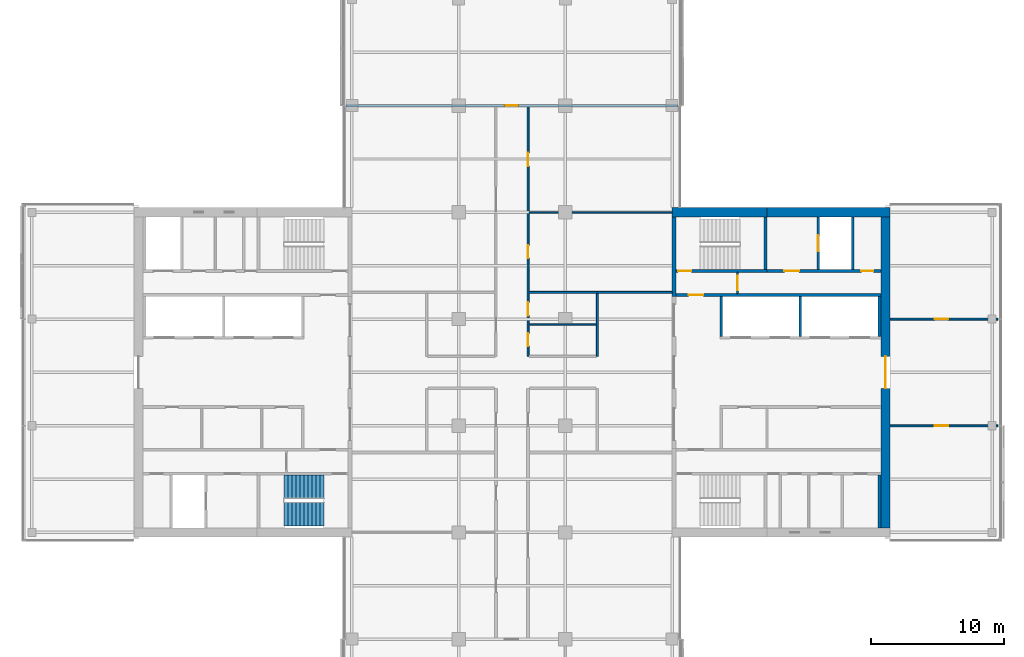
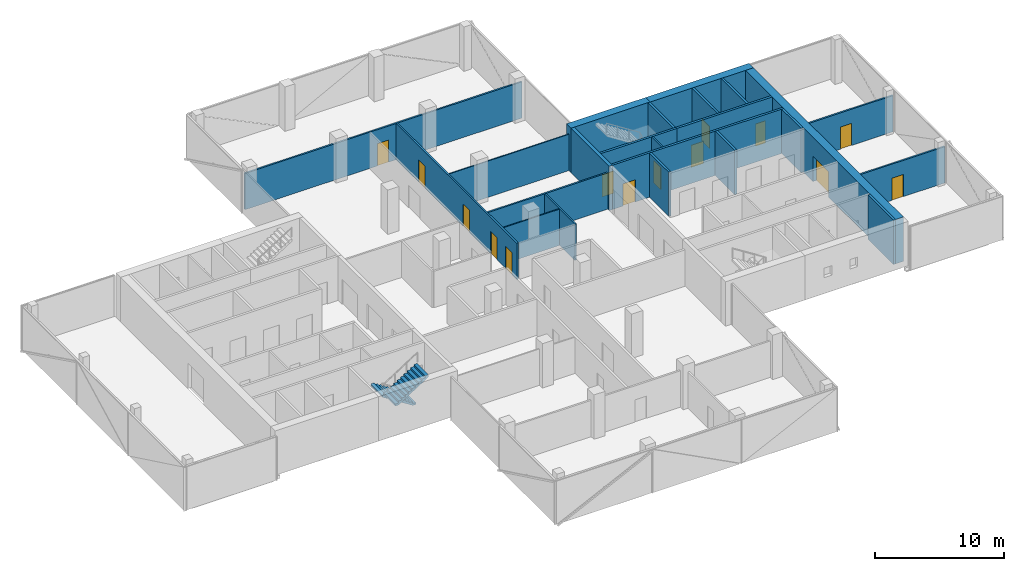
# One storey, part 16 of 22: 23 walls, 14 doors, 2 stair flights, 14 openings, 1 element without a shape of its own.
"""IFC4 building model written with IfcOpenShell, lengths in metres."""

from ifc_helpers import new_model, si_unit, direction, frame, frame_2d, origin, place, context, subcontext, project, spatial, polyline, rectangle, outline, extrude, material, layer, layer_set, constituent, constituent_set, type_object, element, fill, aggregate, save


model = new_model("IFC4")

# Units and contexts
model_context = context("Model", 3, precision=1e-05, world=origin(), true_north=direction((0.0, 1.0)))
body_context = subcontext(model_context, "Body", "Model", "MODEL_VIEW")
ifc_project = project(units=[si_unit("LENGTHUNIT", "METRE"), si_unit("AREAUNIT", "SQUARE_METRE"), si_unit("VOLUMEUNIT", "CUBIC_METRE"), si_unit("PLANEANGLEUNIT", "RADIAN"), si_unit("MASSUNIT", "GRAM", prefix="KILO")], contexts=[model_context])

# Site, building, storey
site_placement = place(None, origin())
site = spatial("IfcSite", under=ifc_project, at=site_placement, CompositionType="ELEMENT")
building_placement = place(site_placement, origin())
building = spatial("IfcBuilding", under=site, at=building_placement, Name="Crosswind Convention Tower", CompositionType="ELEMENT")
storey_placement = place(building_placement, frame((0.0, 0.0, 146.300048828125)))
storey = spatial("IfcBuildingStorey", under=building, at=storey_placement, Name="L30", CompositionType="ELEMENT", Elevation=146.300048828125)

# Wall, opening, door
ifc_material_1 = material(Name="Concrete C60/75", Category="concrete")
ifc_layer_1 = layer(ifc_material_1, 0.699951171875)
ifc_layer_set_1 = layer_set([ifc_layer_1], Name="Concrete C60/75")
wall_type_1 = type_object("IfcWallType", Name="Concrete core wall 700", PredefinedType="SHEAR", material=ifc_layer_set_1)
wall_1_placement = place(storey_placement, frame((153.0, 88.35009765625, 0.0), z_axis=(0.0, 0.0, 1.0), x_axis=(0.0, 1.0, 0.0)))
wall_1 = element("IfcWall", 1, at=wall_1_placement, inside=storey, type_object=wall_type_1, Name="Wall O E L30", PredefinedType="SHEAR", context=body_context, shape_type="SweptSolid", body=[
    extrude(rectangle(XDim=23.2998046875, YDim=0.699951171875, at=frame_2d((11.64990234375, 0.0))), origin(), (0.0, 0.0, 1.0), 4.199951171875),
])
opening_1_placement = place(wall_1_placement, frame((10.449951171875, 0.0, 0.0)))
opening_1 = element("IfcOpeningElement", 2, at=opening_1_placement, cuts=wall_1, Name="Opening D100", PredefinedType="OPENING", context=body_context, shape_type="SweptSolid", body=[
    extrude(rectangle(XDim=2.39990234375, YDim=2.39990234375, at=frame_2d((1.199951171875, 1.199951171875))), frame((0.0, 0.35986328125, 0.0), z_axis=(0.0, -1.0, 0.0), x_axis=(1.0, 0.0, 0.0)), (0.0, 0.0, 1.0), 0.719970703125),
])
ifc_material_2 = material(Name="Steel fire door with glazed vision panels", Category="steel")
door_type_1 = type_object("IfcDoorType", Name="Fire-rated double door 2400x2400", OperationType="DOUBLE_DOOR_SINGLE_SWING", PredefinedType="DOOR", material=ifc_material_2)
door_1_placement = place(opening_1_placement, origin())
door_1 = element("IfcDoor", 3, at=door_1_placement, inside=storey, type_object=door_type_1, Name="Lobby outer door L30", ObjectType="D100", OperationType="DOUBLE_DOOR_SINGLE_SWING", OverallHeight=2.39990234375, OverallWidth=2.39990234375, PredefinedType="DOOR", context=body_context, shape_type="SweptSolid", body=[
    extrude(rectangle(XDim=2.39990234375, YDim=2.39990234375, at=frame_2d((1.199951171875, 1.199951171875))), frame((0.0, 0.02490234375, 0.0), z_axis=(0.0, -1.0, 0.0), x_axis=(1.0, 0.0, 0.0)), (0.0, 0.0, 1.0), 0.050048828125),
])
fill(opening_1, door_1)

# Walls
ifc_material_3 = material(Name="Concrete C50/60", Category="concrete")
ifc_layer_2 = layer(ifc_material_3, 0.300048828125)
ifc_layer_set_2 = layer_set([ifc_layer_2], Name="Concrete C50/60")
wall_type_2 = type_object("IfcWallType", Name="Concrete inner core wall 300", PredefinedType="SHEAR", material=ifc_layer_set_2)
wall_2_placement = place(storey_placement, frame((137.14990234375, 105.699951171875, 0.0), z_axis=(0.0, 0.0, 1.0), x_axis=(0.0, 1.0, 0.0)))
element("IfcWall", 4, at=wall_2_placement, inside=storey, type_object=wall_type_2, Name="Wall EP E L30", PredefinedType="SHEAR", context=body_context, shape_type="SweptSolid", body=[
    extrude(rectangle(XDim=5.949951171875, YDim=0.300048828125, at=frame_2d((2.97509765625, 0.0))), origin(), (0.0, 0.0, 1.0), 4.199951171875),
])
ifc_layer_3 = layer(ifc_material_3, 0.199951171875)
ifc_layer_set_3 = layer_set([ifc_layer_3], Name="Concrete C50/60")
wall_type_3 = type_object("IfcWallType", Name="Concrete shaft and stair wall 200", PredefinedType="SHEAR", material=ifc_layer_set_3)
for number, where, z_axis, x_axis, name in (
    (5, (140.699951171875, 102.699951171875, 0.0), (0.0, 0.0, 1.0), (0.0, 1.0, 0.0), "Wall RPEND E L30"),
    (6, (146.60009765625, 102.699951171875, 0.0), (0.0, 0.0, 1.0), (0.0, 1.0, 0.0), "Wall RPSEP E L30"),
    (7, (152.550048828125, 102.699951171875, 0.0), (0.0, 0.0, 1.0), (0.0, 1.0, 0.0), "Wall RPEAST E L30"),
):
    element("IfcWall", number, at=place(storey_placement, frame(where, z_axis=z_axis, x_axis=x_axis)), inside=storey, type_object=wall_type_3, Name=name, PredefinedType="SHEAR", context=body_context, shape_type="SweptSolid", body=[
        extrude(rectangle(XDim=3.0, YDim=0.199951171875, at=frame_2d((1.5, 0.0))), origin(), (0.0, 0.0, 1.0), 4.199951171875),
    ])

# Wall, opening, door
wall_3_placement = place(storey_placement, frame((137.300048828125, 105.800048828125, 0.0), z_axis=(0.0, 0.0, 1.0), x_axis=(1.0, 0.0, 0.0)))
wall_3 = element("IfcWall", 8, at=wall_3_placement, inside=storey, type_object=wall_type_3, Name="Wall HP E L30", PredefinedType="SHEAR", context=body_context, shape_type="SweptSolid", body=[
    extrude(rectangle(XDim=15.349853515625, YDim=0.199951171875, at=frame_2d((7.6748046875, 0.0))), origin(), (0.0, 0.0, 1.0), 4.199951171875),
])
opening_2_placement = place(wall_3_placement, frame((0.949951171875, 0.0, 0.0)))
opening_2 = element("IfcOpeningElement", 9, at=opening_2_placement, cuts=wall_3, Name="Opening D104", PredefinedType="OPENING", context=body_context, shape_type="SweptSolid", body=[
    extrude(rectangle(XDim=1.10009765625, YDim=2.10009765625, at=frame_2d((0.550048828125, 1.050048828125))), frame((0.0, 0.10986328125, 0.0), z_axis=(0.0, -1.0, 0.0), x_axis=(1.0, 0.0, 0.0)), (0.0, 0.0, 1.0), 0.219970703125),
])
ifc_material_4 = material(Name="Steel fire door", Category="steel")
door_type_2 = type_object("IfcDoorType", Name="Fire-rated single door 1100x2100", OperationType="NOTDEFINED", PredefinedType="DOOR", material=ifc_material_4)
door_2_placement = place(opening_2_placement, origin())
door_2 = element("IfcDoor", 10, at=door_2_placement, inside=storey, type_object=door_type_2, Name="Corridor door L30", ObjectType="D104", OperationType="SINGLE_SWING_LEFT", OverallHeight=2.10009765625, OverallWidth=1.10009765625, PredefinedType="DOOR", context=body_context, shape_type="SweptSolid", body=[
    extrude(rectangle(XDim=1.10009765625, YDim=2.10009765625, at=frame_2d((0.550048828125, 1.050048828125))), frame((0.0, 0.02490234375, 0.0), z_axis=(0.0, -1.0, 0.0), x_axis=(1.0, 0.0, 0.0)), (0.0, 0.0, 1.0), 0.050048828125),
])
fill(opening_2, door_2)

# Wall
wall_4_placement = place(storey_placement, frame((144.0, 107.699951171875, 0.0), z_axis=(0.0, 0.0, 1.0), x_axis=(0.0, 1.0, 0.0)))
element("IfcWall", 11, at=wall_4_placement, inside=storey, type_object=wall_type_3, Name="Wall PSE E L30", PredefinedType="SHEAR", context=body_context, shape_type="SweptSolid", body=[
    extrude(rectangle(XDim=3.949951171875, YDim=0.199951171875, at=frame_2d((1.97509765625, 0.0))), origin(), (0.0, 0.0, 1.0), 4.199951171875),
])

# Wall, opening, door
wall_5_placement = place(storey_placement, frame((147.949951171875, 107.699951171875, 0.0), z_axis=(0.0, 0.0, 1.0), x_axis=(0.0, 1.0, 0.0)))
wall_5 = element("IfcWall", 12, at=wall_5_placement, inside=storey, type_object=wall_type_3, Name="Wall PFLW E L30", PredefinedType="SHEAR", context=body_context, shape_type="SweptSolid", body=[
    extrude(rectangle(XDim=3.949951171875, YDim=0.199951171875, at=frame_2d((1.97509765625, 0.0))), origin(), (0.0, 0.0, 1.0), 4.199951171875),
])
opening_3_placement = place(wall_5_placement, frame((1.375, 0.0, 0.0)))
opening_3 = element("IfcOpeningElement", 13, at=opening_3_placement, cuts=wall_5, Name="Opening LD1", PredefinedType="OPENING", context=body_context, shape_type="SweptSolid", body=[
    extrude(rectangle(XDim=1.199951171875, YDim=2.10009765625, at=frame_2d((0.60009765625, 1.050048828125))), frame((0.0, 0.10986328125, 0.0), z_axis=(0.0, -1.0, 0.0), x_axis=(1.0, 0.0, 0.0)), (0.0, 0.0, 1.0), 0.219970703125),
])
ifc_material_5 = material(Name="Stainless steel", Category="steel")
door_type_3 = type_object("IfcDoorType", Name="Lift landing door 1200x2100", OperationType="DOUBLE_DOOR_SLIDING", PredefinedType="DOOR", material=ifc_material_5)
door_3_placement = place(opening_3_placement, origin())
door_3 = element("IfcDoor", 14, at=door_3_placement, inside=storey, type_object=door_type_3, Name="Landing door FF1 L30", ObjectType="LD1", OperationType="DOUBLE_DOOR_SLIDING", OverallHeight=2.10009765625, OverallWidth=1.199951171875, PredefinedType="DOOR", context=body_context, shape_type="SweptSolid", body=[
    extrude(rectangle(XDim=1.199951171875, YDim=2.10009765625, at=frame_2d((0.60009765625, 1.050048828125))), frame((0.0, 0.02490234375, 0.0), z_axis=(0.0, -1.0, 0.0), x_axis=(1.0, 0.0, 0.0)), (0.0, 0.0, 1.0), 0.050048828125),
])
fill(opening_3, door_3)

# Wall
wall_6_placement = place(storey_placement, frame((150.550048828125, 107.699951171875, 0.0), z_axis=(0.0, 0.0, 1.0), x_axis=(0.0, 1.0, 0.0)))
element("IfcWall", 15, at=wall_6_placement, inside=storey, type_object=wall_type_3, Name="Wall PFSE E L30", PredefinedType="SHEAR", context=body_context, shape_type="SweptSolid", body=[
    extrude(rectangle(XDim=3.949951171875, YDim=0.199951171875, at=frame_2d((1.97509765625, 0.0))), origin(), (0.0, 0.0, 1.0), 4.199951171875),
])

# Wall, opening, door
wall_7_placement = place(storey_placement, frame((137.300048828125, 107.60009765625, 0.0), z_axis=(0.0, 0.0, 1.0), x_axis=(1.0, 0.0, 0.0)))
wall_7 = element("IfcWall", 16, at=wall_7_placement, inside=storey, type_object=wall_type_3, Name="Wall PCW E L30", PredefinedType="SHEAR", context=body_context, shape_type="SweptSolid", body=[
    extrude(rectangle(XDim=6.800048828125, YDim=0.199951171875, at=frame_2d((3.39990234375, 0.0))), origin(), (0.0, 0.0, 1.0), 4.199951171875),
])
opening_4_placement = place(wall_7_placement, frame((0.14990234375, 0.0, 0.0)))
opening_4 = element("IfcOpeningElement", 17, at=opening_4_placement, cuts=wall_7, Name="Opening D103", PredefinedType="OPENING", context=body_context, shape_type="SweptSolid", body=[
    extrude(rectangle(XDim=1.0, YDim=2.10009765625, at=frame_2d((0.5, 1.050048828125))), frame((0.0, 0.10986328125, 0.0), z_axis=(0.0, -1.0, 0.0), x_axis=(1.0, 0.0, 0.0)), (0.0, 0.0, 1.0), 0.219970703125),
])
door_type_4 = type_object("IfcDoorType", Name="Fire-rated single door 1000x2100", OperationType="NOTDEFINED", PredefinedType="DOOR", material=ifc_material_4)
door_4_placement = place(opening_4_placement, origin())
door_4 = element("IfcDoor", 18, at=door_4_placement, inside=storey, type_object=door_type_4, Name="Stair ST1 door L30", ObjectType="D103", OperationType="SINGLE_SWING_LEFT", OverallHeight=2.10009765625, OverallWidth=1.0, PredefinedType="DOOR", context=body_context, shape_type="SweptSolid", body=[
    extrude(rectangle(XDim=1.0, YDim=2.10009765625, at=frame_2d((0.5, 1.050048828125))), frame((0.0, 0.02490234375, 0.0), z_axis=(0.0, -1.0, 0.0), x_axis=(1.0, 0.0, 0.0)), (0.0, 0.0, 1.0), 0.050048828125),
])
fill(opening_4, door_4)

# Wall, openings, doors
wall_8_placement = place(storey_placement, frame((144.10009765625, 107.60009765625, 0.0), z_axis=(0.0, 0.0, 1.0), x_axis=(1.0, 0.0, 0.0)))
wall_8 = element("IfcWall", 19, at=wall_8_placement, inside=storey, type_object=wall_type_3, Name="Wall PCX E L30", PredefinedType="SHEAR", context=body_context, shape_type="SweptSolid", body=[
    extrude(rectangle(XDim=8.5498046875, YDim=0.199951171875, at=frame_2d((4.27490234375, 0.0))), origin(), (0.0, 0.0, 1.0), 4.199951171875),
])
opening_5_placement = place(wall_8_placement, frame((1.324951171875, 0.0, 0.0)))
opening_5 = element("IfcOpeningElement", 20, at=opening_5_placement, cuts=wall_8, Name="Opening D104", PredefinedType="OPENING", context=body_context, shape_type="SweptSolid", body=[
    extrude(rectangle(XDim=1.10009765625, YDim=2.10009765625, at=frame_2d((0.550048828125, 1.050048828125))), frame((0.0, 0.10986328125, 0.0), z_axis=(0.0, -1.0, 0.0), x_axis=(1.0, 0.0, 0.0)), (0.0, 0.0, 1.0), 0.219970703125),
])
opening_6_placement = place(wall_8_placement, frame((7.10009765625, 0.0, 0.0)))
opening_6 = element("IfcOpeningElement", 21, at=opening_6_placement, cuts=wall_8, Name="Opening D106", PredefinedType="OPENING", context=body_context, shape_type="SweptSolid", body=[
    extrude(rectangle(XDim=0.89990234375, YDim=2.10009765625, at=frame_2d((0.449951171875, 1.050048828125))), frame((0.0, 0.10986328125, 0.0), z_axis=(0.0, -1.0, 0.0), x_axis=(1.0, 0.0, 0.0)), (0.0, 0.0, 1.0), 0.219970703125),
])
door_5_placement = place(opening_5_placement, origin())
door_5 = element("IfcDoor", 22, at=door_5_placement, inside=storey, type_object=door_type_2, Name="Fire-fighting lobby FF1 door L30", ObjectType="D104", OperationType="SINGLE_SWING_RIGHT", OverallHeight=2.10009765625, OverallWidth=1.10009765625, PredefinedType="DOOR", context=body_context, shape_type="SweptSolid", body=[
    extrude(rectangle(XDim=1.10009765625, YDim=2.10009765625, at=frame_2d((0.550048828125, 1.050048828125))), frame((0.0, 0.02490234375, 0.0), z_axis=(0.0, -1.0, 0.0), x_axis=(1.0, 0.0, 0.0)), (0.0, 0.0, 1.0), 0.050048828125),
])
fill(opening_5, door_5)
ifc_material_6 = material(Name="Timber door", Category="wood")
door_type_5 = type_object("IfcDoorType", Name="Single leaf door 900x2100", OperationType="NOTDEFINED", PredefinedType="DOOR", material=ifc_material_6)
door_6_placement = place(opening_6_placement, origin())
door_6 = element("IfcDoor", 23, at=door_6_placement, inside=storey, type_object=door_type_5, Name="Door to cleaners' store L30", ObjectType="D106", OperationType="SINGLE_SWING_RIGHT", OverallHeight=2.10009765625, OverallWidth=0.89990234375, PredefinedType="DOOR", context=body_context, shape_type="SweptSolid", body=[
    extrude(rectangle(XDim=0.89990234375, YDim=2.10009765625, at=frame_2d((0.449951171875, 1.050048828125))), frame((0.0, 0.02490234375, 0.0), z_axis=(0.0, -1.0, 0.0), x_axis=(1.0, 0.0, 0.0)), (0.0, 0.0, 1.0), 0.050048828125),
])
fill(opening_6, door_6)

# Wall
wall_9_placement = place(storey_placement, frame((152.550048828125, 88.35009765625, 0.0), z_axis=(0.0, 0.0, 1.0), x_axis=(0.0, 1.0, 0.0)))
element("IfcWall", 24, at=wall_9_placement, inside=storey, type_object=wall_type_3, Name="Wall MFSE E L30", PredefinedType="SHEAR", context=body_context, shape_type="SweptSolid", body=[
    extrude(rectangle(XDim=3.949951171875, YDim=0.199951171875, at=frame_2d((1.97509765625, 0.0))), origin(), (0.0, 0.0, 1.0), 4.199951171875),
])

# Wall, opening, door
ifc_material_7 = material(Name="Gypsum plasterboard partition", Category="gypsum")
ifc_layer_4 = layer(ifc_material_7, 0.125)
ifc_layer_set_4 = layer_set([ifc_layer_4], Name="Drywall partition wall 125")
wall_type_4 = type_object("IfcWallType", Name="Drywall partition wall 125", PredefinedType="PARTITIONING", material=ifc_layer_set_4)
wall_10_placement = place(storey_placement, frame((141.89990234375, 105.89990234375, 0.0), z_axis=(0.0, 0.0, 1.0), x_axis=(0.0, 1.0, 0.0)))
wall_10 = element("IfcWall", 25, at=wall_10_placement, inside=storey, type_object=wall_type_4, Name="Wall PXC1 E L30", PredefinedType="PARTITIONING", context=body_context, shape_type="SweptSolid", body=[
    extrude(rectangle(XDim=1.60009765625, YDim=0.125, at=frame_2d((0.800048828125, 0.0))), origin(), (0.0, 0.0, 1.0), 4.199951171875),
])
opening_7_placement = place(wall_10_placement, frame((0.25, 0.0, 0.0)))
opening_7 = element("IfcOpeningElement", 26, at=opening_7_placement, cuts=wall_10, Name="Opening D104", PredefinedType="OPENING", context=body_context, shape_type="SweptSolid", body=[
    extrude(rectangle(XDim=1.10009765625, YDim=2.10009765625, at=frame_2d((0.550048828125, 1.050048828125))), frame((0.0, 0.072509765625, 0.0), z_axis=(0.0, -1.0, 0.0), x_axis=(1.0, 0.0, 0.0)), (0.0, 0.0, 1.0), 0.14501953125),
])
door_7_placement = place(opening_7_placement, origin())
door_7 = element("IfcDoor", 27, at=door_7_placement, inside=storey, type_object=door_type_2, Name="Corridor smoke door L30", ObjectType="D104", OperationType="SINGLE_SWING_RIGHT", OverallHeight=2.10009765625, OverallWidth=1.10009765625, PredefinedType="DOOR", context=body_context, shape_type="SweptSolid", body=[
    extrude(rectangle(XDim=1.10009765625, YDim=2.10009765625, at=frame_2d((0.550048828125, 1.050048828125))), frame((0.0, 0.02490234375, 0.0), z_axis=(0.0, -1.0, 0.0), x_axis=(1.0, 0.0, 0.0)), (0.0, 0.0, 1.0), 0.050048828125),
])
fill(opening_7, door_7)

# Walls
ifc_material_8 = material(Name="Plasterboard partition", Category="gypsum")
ifc_layer_5 = layer(ifc_material_8, 0.10009765625)
ifc_layer_set_5 = layer_set([ifc_layer_5], Name="PARTITION 100 METAL STUD")
wall_type_5 = type_object("IfcWallType", Name="PARTITION 100 METAL STUD", PredefinedType="PARTITIONING", material=ifc_layer_set_5)
wall_11_placement = place(storey_placement, frame((126.27490234375, 103.60009765625, 0.0), z_axis=(0.0, 0.0, 1.0), x_axis=(1.0, 0.0, 0.0)))
element("IfcWall", 28, at=wall_11_placement, inside=storey, type_object=wall_type_5, Name="Partition wall WT40", PredefinedType="PARTITIONING", context=body_context, shape_type="SweptSolid", body=[
    extrude(rectangle(XDim=5.050048828125, YDim=0.10009765625, at=frame_2d((2.52490234375, 0.0))), origin(), (0.0, 0.0, 1.0), 3.436279296875),
])
wall_12_placement = place(storey_placement, frame((126.27490234375, 112.0, 0.0), z_axis=(0.0, 0.0, 1.0), x_axis=(1.0, 0.0, 0.0)))
element("IfcWall", 29, at=wall_12_placement, inside=storey, type_object=wall_type_5, Name="Partition wall WT40", PredefinedType="PARTITIONING", context=body_context, shape_type="SweptSolid", body=[
    extrude(rectangle(XDim=10.72509765625, YDim=0.10009765625, at=frame_2d((5.362548828125, 0.0))), origin(), (0.0, 0.0, 1.0), 3.436279296875),
])

# Wall, openings, doors
ifc_material_9 = material(Name="Fire-board partition with mineral wool", Category="gypsum")
ifc_layer_6 = layer(ifc_material_9, 0.14990234375)
ifc_layer_set_6 = layer_set([ifc_layer_6], Name="TENANCY WALL 150 TWO-HOUR BOARD")
wall_type_6 = type_object("IfcWallType", Name="TENANCY WALL 150 TWO-HOUR BOARD", PredefinedType="PARTITIONING", material=ifc_layer_set_6)
wall_13_placement = place(storey_placement, frame((126.199951171875, 101.199951171875, 0.0), z_axis=(0.0, 0.0, 1.0), x_axis=(0.0, 1.0, 0.0)))
wall_13 = element("IfcWall", 30, at=wall_13_placement, inside=storey, type_object=wall_type_6, Name="Tenancy wall WT41", PredefinedType="PARTITIONING", context=body_context, shape_type="SweptSolid", body=[
    extrude(rectangle(XDim=18.72509765625, YDim=0.14990234375, at=frame_2d((9.362548828125, 0.0))), origin(), (0.0, 0.0, 1.0), 3.436279296875),
])
opening_8_placement = place(wall_13_placement, frame((0.75, 0.0, 0.0)))
opening_8 = element("IfcOpeningElement", 31, at=opening_8_placement, cuts=wall_13, Name="Opening L30-50", PredefinedType="OPENING", context=body_context, shape_type="SweptSolid", body=[
    extrude(rectangle(XDim=1.0, YDim=2.10009765625, at=frame_2d((0.5, 1.050048828125))), frame((0.0, 0.0849609375, 0.0), z_axis=(0.0, -1.0, 0.0), x_axis=(1.0, 0.0, 0.0)), (0.0, 0.0, 1.0), 0.169921875),
])
opening_9_placement = place(wall_13_placement, frame((3.050048828125, 0.0, 0.0)))
opening_9 = element("IfcOpeningElement", 32, at=opening_9_placement, cuts=wall_13, Name="Opening L30-51", PredefinedType="OPENING", context=body_context, shape_type="SweptSolid", body=[
    extrude(rectangle(XDim=1.0, YDim=2.10009765625, at=frame_2d((0.5, 1.050048828125))), frame((0.0, 0.0849609375, 0.0), z_axis=(0.0, -1.0, 0.0), x_axis=(1.0, 0.0, 0.0)), (0.0, 0.0, 1.0), 0.169921875),
])
opening_10_placement = place(wall_13_placement, frame((7.35009765625, 0.0, 0.0)))
opening_10 = element("IfcOpeningElement", 33, at=opening_10_placement, cuts=wall_13, Name="Opening L30-52", PredefinedType="OPENING", context=body_context, shape_type="SweptSolid", body=[
    extrude(rectangle(XDim=1.0, YDim=2.10009765625, at=frame_2d((0.5, 1.050048828125))), frame((0.0, 0.0849609375, 0.0), z_axis=(0.0, -1.0, 0.0), x_axis=(1.0, 0.0, 0.0)), (0.0, 0.0, 1.0), 0.169921875),
])
opening_11_placement = place(wall_13_placement, frame((14.25, 0.0, 0.0)))
opening_11 = element("IfcOpeningElement", 34, at=opening_11_placement, cuts=wall_13, Name="Opening L30-53", PredefinedType="OPENING", context=body_context, shape_type="SweptSolid", body=[
    extrude(rectangle(XDim=1.0, YDim=2.10009765625, at=frame_2d((0.5, 1.050048828125))), frame((0.0, 0.0849609375, 0.0), z_axis=(0.0, -1.0, 0.0), x_axis=(1.0, 0.0, 0.0)), (0.0, 0.0, 1.0), 0.169921875),
])
ifc_material_10 = material(Name="Timber fire door", Category="wood")
door_type_6 = type_object("IfcDoorType", Name="TENANCY ENTRANCE DOOR 1000X2100 FD30S", OperationType="NOTDEFINED", PredefinedType="DOOR", material=ifc_material_10)
door_8_placement = place(opening_8_placement, frame((1.0, 0.0, 0.0), z_axis=(0.0, 0.0, 1.0), x_axis=(-1.0, 0.0, 0.0)))
door_8 = element("IfcDoor", 35, at=door_8_placement, inside=storey, type_object=door_type_6, Name="Door L30-50", ObjectType="D41", OperationType="SINGLE_SWING_LEFT", OverallHeight=2.10009765625, OverallWidth=1.0, PredefinedType="DOOR", context=body_context, shape_type="SweptSolid", body=[
    extrude(rectangle(XDim=1.0, YDim=2.10009765625, at=frame_2d((0.5, 1.050048828125))), frame((0.0, 0.02490234375, 0.0), z_axis=(0.0, -1.0, 0.0), x_axis=(1.0, 0.0, 0.0)), (0.0, 0.0, 1.0), 0.050048828125),
])
fill(opening_8, door_8)
door_9_placement = place(opening_9_placement, frame((1.0, 0.0, 0.0), z_axis=(0.0, 0.0, 1.0), x_axis=(-1.0, 0.0, 0.0)))
door_9 = element("IfcDoor", 36, at=door_9_placement, inside=storey, type_object=door_type_6, Name="Door L30-51", ObjectType="D41", OperationType="SINGLE_SWING_RIGHT", OverallHeight=2.10009765625, OverallWidth=1.0, PredefinedType="DOOR", context=body_context, shape_type="SweptSolid", body=[
    extrude(rectangle(XDim=1.0, YDim=2.10009765625, at=frame_2d((0.5, 1.050048828125))), frame((0.0, 0.02490234375, 0.0), z_axis=(0.0, -1.0, 0.0), x_axis=(1.0, 0.0, 0.0)), (0.0, 0.0, 1.0), 0.050048828125),
])
fill(opening_9, door_9)
door_10_placement = place(opening_10_placement, frame((1.0, 0.0, 0.0), z_axis=(0.0, 0.0, 1.0), x_axis=(-1.0, 0.0, 0.0)))
door_10 = element("IfcDoor", 37, at=door_10_placement, inside=storey, type_object=door_type_6, Name="Door L30-52", ObjectType="D41", OperationType="SINGLE_SWING_LEFT", OverallHeight=2.10009765625, OverallWidth=1.0, PredefinedType="DOOR", context=body_context, shape_type="SweptSolid", body=[
    extrude(rectangle(XDim=1.0, YDim=2.10009765625, at=frame_2d((0.5, 1.050048828125))), frame((0.0, 0.02490234375, 0.0), z_axis=(0.0, -1.0, 0.0), x_axis=(1.0, 0.0, 0.0)), (0.0, 0.0, 1.0), 0.050048828125),
])
fill(opening_10, door_10)
door_11_placement = place(opening_11_placement, frame((1.0, 0.0, 0.0), z_axis=(0.0, 0.0, 1.0), x_axis=(-1.0, 0.0, 0.0)))
door_11 = element("IfcDoor", 38, at=door_11_placement, inside=storey, type_object=door_type_6, Name="Door L30-53", ObjectType="D41", OperationType="SINGLE_SWING_RIGHT", OverallHeight=2.10009765625, OverallWidth=1.0, PredefinedType="DOOR", context=body_context, shape_type="SweptSolid", body=[
    extrude(rectangle(XDim=1.0, YDim=2.10009765625, at=frame_2d((0.5, 1.050048828125))), frame((0.0, 0.02490234375, 0.0), z_axis=(0.0, -1.0, 0.0), x_axis=(1.0, 0.0, 0.0)), (0.0, 0.0, 1.0), 0.050048828125),
])
fill(opening_11, door_11)

# Wall
wall_14_placement = place(storey_placement, frame((131.39990234375, 101.199951171875, 0.0), z_axis=(0.0, 0.0, 1.0), x_axis=(0.0, 1.0, 0.0)))
element("IfcWall", 39, at=wall_14_placement, inside=storey, type_object=wall_type_6, Name="Tenancy wall WT41", PredefinedType="PARTITIONING", context=body_context, shape_type="SweptSolid", body=[
    extrude(rectangle(XDim=4.72509765625, YDim=0.14990234375, at=frame_2d((2.362548828125, 0.0))), origin(), (0.0, 0.0, 1.0), 3.436279296875),
])

# Wall, opening, door
wall_15_placement = place(storey_placement, frame((153.35009765625, 96.0, 0.0), z_axis=(0.0, 0.0, 1.0), x_axis=(1.0, 0.0, 0.0)))
wall_15 = element("IfcWall", 40, at=wall_15_placement, inside=storey, type_object=wall_type_6, Name="Tenancy wall WT41", PredefinedType="PARTITIONING", context=body_context, shape_type="SweptSolid", body=[
    extrude(rectangle(XDim=8.06982421875, YDim=0.14990234375, at=frame_2d((4.034912109375, 0.0))), origin(), (0.0, 0.0, 1.0), 3.436279296875),
])
opening_12_placement = place(wall_15_placement, frame((3.35009765625, 0.0, 0.0)))
opening_12 = element("IfcOpeningElement", 41, at=opening_12_placement, cuts=wall_15, Name="Opening L30-65", PredefinedType="OPENING", context=body_context, shape_type="SweptSolid", body=[
    extrude(rectangle(XDim=1.0, YDim=2.10009765625, at=frame_2d((0.5, 1.050048828125))), frame((0.0, 0.0849609375, 0.0), z_axis=(0.0, -1.0, 0.0), x_axis=(1.0, 0.0, 0.0)), (0.0, 0.0, 1.0), 0.169921875),
])
door_12_placement = place(opening_12_placement, frame((1.0, 0.0, 0.0), z_axis=(0.0, 0.0, 1.0), x_axis=(-1.0, 0.0, 0.0)))
door_12 = element("IfcDoor", 42, at=door_12_placement, inside=storey, type_object=door_type_6, Name="Door L30-65", ObjectType="D41", OperationType="SINGLE_SWING_LEFT", OverallHeight=2.10009765625, OverallWidth=1.0, PredefinedType="DOOR", context=body_context, shape_type="SweptSolid", body=[
    extrude(rectangle(XDim=1.0, YDim=2.10009765625, at=frame_2d((0.5, 1.050048828125))), frame((0.0, 0.02490234375, 0.0), z_axis=(0.0, -1.0, 0.0), x_axis=(1.0, 0.0, 0.0)), (0.0, 0.0, 1.0), 0.050048828125),
])
fill(opening_12, door_12)

wall_16_placement = place(storey_placement, frame((153.35009765625, 104.0, 0.0), z_axis=(0.0, 0.0, 1.0), x_axis=(1.0, 0.0, 0.0)))
wall_16 = element("IfcWall", 43, at=wall_16_placement, inside=storey, type_object=wall_type_6, Name="Tenancy wall WT41", PredefinedType="PARTITIONING", context=body_context, shape_type="SweptSolid", body=[
    extrude(rectangle(XDim=8.06982421875, YDim=0.14990234375, at=frame_2d((4.034912109375, 0.0))), origin(), (0.0, 0.0, 1.0), 3.436279296875),
])
opening_13_placement = place(wall_16_placement, frame((3.35009765625, 0.0, 0.0)))
opening_13 = element("IfcOpeningElement", 44, at=opening_13_placement, cuts=wall_16, Name="Opening L30-64", PredefinedType="OPENING", context=body_context, shape_type="SweptSolid", body=[
    extrude(rectangle(XDim=1.0, YDim=2.10009765625, at=frame_2d((0.5, 1.050048828125))), frame((0.0, 0.0849609375, 0.0), z_axis=(0.0, -1.0, 0.0), x_axis=(1.0, 0.0, 0.0)), (0.0, 0.0, 1.0), 0.169921875),
])
door_13_placement = place(opening_13_placement, origin())
door_13 = element("IfcDoor", 45, at=door_13_placement, inside=storey, type_object=door_type_6, Name="Door L30-64", ObjectType="D41", OperationType="SINGLE_SWING_RIGHT", OverallHeight=2.10009765625, OverallWidth=1.0, PredefinedType="DOOR", context=body_context, shape_type="SweptSolid", body=[
    extrude(rectangle(XDim=1.0, YDim=2.10009765625, at=frame_2d((0.5, 1.050048828125))), frame((0.0, 0.02490234375, 0.0), z_axis=(0.0, -1.0, 0.0), x_axis=(1.0, 0.0, 0.0)), (0.0, 0.0, 1.0), 0.050048828125),
])
fill(opening_13, door_13)

# Wall
wall_17_placement = place(storey_placement, frame((126.27490234375, 106.0, 0.0), z_axis=(0.0, 0.0, 1.0), x_axis=(1.0, 0.0, 0.0)))
element("IfcWall", 46, at=wall_17_placement, inside=storey, type_object=wall_type_6, Name="Tenancy wall WT41", PredefinedType="PARTITIONING", context=body_context, shape_type="SweptSolid", body=[
    extrude(rectangle(XDim=10.72509765625, YDim=0.14990234375, at=frame_2d((5.362548828125, 0.0))), origin(), (0.0, 0.0, 1.0), 3.436279296875),
])

# Wall, opening, door
wall_18_placement = place(storey_placement, frame((112.580078125, 120.0, 0.0), z_axis=(0.0, 0.0, 1.0), x_axis=(1.0, 0.0, 0.0)))
wall_18 = element("IfcWall", 47, at=wall_18_placement, inside=storey, type_object=wall_type_6, Name="Tenancy wall WT41", PredefinedType="PARTITIONING", context=body_context, shape_type="SweptSolid", body=[
    extrude(rectangle(XDim=24.83984375, YDim=0.14990234375, at=frame_2d((12.419921875, 0.0))), origin(), (0.0, 0.0, 1.0), 3.436279296875),
])
opening_14_placement = place(wall_18_placement, frame((11.8701171875, 0.0, 0.0)))
opening_14 = element("IfcOpeningElement", 48, at=opening_14_placement, cuts=wall_18, Name="Opening L30-61", PredefinedType="OPENING", context=body_context, shape_type="SweptSolid", body=[
    extrude(rectangle(XDim=1.0, YDim=2.10009765625, at=frame_2d((0.5, 1.050048828125))), frame((0.0, 0.0849609375, 0.0), z_axis=(0.0, -1.0, 0.0), x_axis=(1.0, 0.0, 0.0)), (0.0, 0.0, 1.0), 0.169921875),
])
door_14_placement = place(opening_14_placement, origin())
door_14 = element("IfcDoor", 49, at=door_14_placement, inside=storey, type_object=door_type_6, Name="Door L30-61", ObjectType="D41", OperationType="SINGLE_SWING_LEFT", OverallHeight=2.10009765625, OverallWidth=1.0, PredefinedType="DOOR", context=body_context, shape_type="SweptSolid", body=[
    extrude(rectangle(XDim=1.0, YDim=2.10009765625, at=frame_2d((0.5, 1.050048828125))), frame((0.0, 0.02490234375, 0.0), z_axis=(0.0, -1.0, 0.0), x_axis=(1.0, 0.0, 0.0)), (0.0, 0.0, 1.0), 0.050048828125),
])
fill(opening_14, door_14)

# Walls
ifc_constituent_1 = constituent(ifc_material_1, Name="Structure")
ifc_material_11 = material(Name="Terracotta rainscreen", Category="ceramic")
ifc_constituent_2 = constituent(ifc_material_11, Name="Facing")
ifc_constituent_set = constituent_set(constituents=[ifc_constituent_1, ifc_constituent_2], Name="Concrete C60/75, Terracotta rainscreen")
wall_type_7 = type_object("IfcWallType", Name="Terracotta rainscreen on concrete core wall 700", PredefinedType="SHEAR", material=ifc_constituent_set)
wall_19_placement = place(storey_placement, frame((137.0, 112.0, 0.0), z_axis=(0.0, 0.0, 1.0), x_axis=(1.0, 0.0, 0.0)))
element("IfcWall", 50, at=wall_19_placement, inside=storey, type_object=wall_type_7, Name="Wall N1 E L30", PredefinedType="SHEAR", context=body_context, shape_type="SweptSolid", body=[
    extrude(rectangle(XDim=7.10009765625, YDim=0.699951171875, at=frame_2d((3.550048828125, 0.0))), origin(), (0.0, 0.0, 1.0), 4.199951171875),
])
wall_20_placement = place(storey_placement, frame((144.10009765625, 112.0, 0.0), z_axis=(0.0, 0.0, 1.0), x_axis=(1.0, 0.0, 0.0)))
element("IfcWall", 51, at=wall_20_placement, inside=storey, type_object=wall_type_7, Name="Wall N2 E L30", PredefinedType="SHEAR", context=body_context, shape_type="SweptSolid", body=[
    extrude(rectangle(XDim=9.25, YDim=0.699951171875, at=frame_2d((4.625, 0.0))), origin(), (0.0, 0.0, 1.0), 4.199951171875),
])

# Stair, stair flights
ifc_material_12 = material(Name="Concrete C40/50", Category="concrete")
stair_type = type_object("IfcStairType", Name="Exit stair 1800 wide, 2 flights of 11 risers", PredefinedType="HALF_TURN_STAIR", material=ifc_material_12)
stair_placement = place(storey_placement, origin())
stair = element("IfcStair", 52, at=stair_placement, inside=storey, type_object=stair_type, Name="Exit stair ST3 L30", ObjectType="ST5", PredefinedType="HALF_TURN_STAIR")
stair_flight_type = type_object("IfcStairFlightType", Name="Stair flight 1800 wide, 11 risers (SF4)", PredefinedType="STRAIGHT", material=ifc_material_12)
stair_flight_1_placement = place(storey_placement, frame((110.89990234375, 91.39990234375, 0.0), z_axis=(0.0, 0.0, 1.0), x_axis=(-1.0, 0.0, 0.0)))
stair_flight_1 = element("IfcStairFlight", 53, at=stair_flight_1_placement, type_object=stair_flight_type, Name="ST3 flight 1", NumberOfRisers=11, NumberOfTreads=10, PredefinedType="STRAIGHT", RiserHeight=0.190909091, TreadLength=0.3, context=body_context, shape_type="SweptSolid", body=[
    extrude(outline(polyline([(0.0, 0.0), (0.0, 0.19091796875), (0.300048828125, 0.19091796875), (0.300048828125, 0.3818359375), (0.60009765625, 0.3818359375), (0.60009765625, 0.57275390625), (0.89990234375, 0.57275390625), (0.89990234375, 0.763671875), (1.199951171875, 0.763671875), (1.199951171875, 0.95458984375), (1.5, 0.95458984375), (1.5, 1.1455078125), (1.800048828125, 1.1455078125), (1.800048828125, 1.33642578125), (2.10009765625, 1.33642578125), (2.10009765625, 1.52734375), (2.39990234375, 1.52734375), (2.39990234375, 1.71826171875), (2.699951171875, 1.71826171875), (2.699951171875, 1.9091796875), (3.0, 1.9091796875), (3.0, 2.10009765625), (3.0, 1.7314453125), (0.279296875, 0.0), (0.0, 0.0)])), frame((0.0, 0.89990234375, 0.0), z_axis=(0.0, -1.0, 0.0), x_axis=(1.0, 0.0, 0.0)), (0.0, 0.0, 1.0), 1.800048828125),
])
stair_flight_2_placement = place(storey_placement, frame((107.89990234375, 89.39990234375, 2.099853515625), z_axis=(0.0, 0.0, 1.0), x_axis=(1.0, 0.0, 0.0)))
stair_flight_2 = element("IfcStairFlight", 54, at=stair_flight_2_placement, type_object=stair_flight_type, Name="ST3 flight 2", NumberOfRisers=11, NumberOfTreads=10, PredefinedType="STRAIGHT", RiserHeight=0.190909091, TreadLength=0.3, context=body_context, shape_type="SweptSolid", body=[
    extrude(outline(polyline([(0.0, 0.0), (0.0, 0.19091796875), (0.300048828125, 0.19091796875), (0.300048828125, 0.3818359375), (0.60009765625, 0.3818359375), (0.60009765625, 0.57275390625), (0.89990234375, 0.57275390625), (0.89990234375, 0.763671875), (1.199951171875, 0.763671875), (1.199951171875, 0.95458984375), (1.5, 0.95458984375), (1.5, 1.1455078125), (1.800048828125, 1.1455078125), (1.800048828125, 1.33642578125), (2.10009765625, 1.33642578125), (2.10009765625, 1.52734375), (2.39990234375, 1.52734375), (2.39990234375, 1.71826171875), (2.699951171875, 1.71826171875), (2.699951171875, 1.9091796875), (3.0, 1.9091796875), (3.0, 2.10009765625), (3.0, 1.7314453125), (0.279296875, 0.0), (0.0, 0.0)])), frame((0.0, 0.89990234375, 0.0), z_axis=(0.0, -1.0, 0.0), x_axis=(1.0, 0.0, 0.0)), (0.0, 0.0, 1.0), 1.800048828125),
])
aggregate(stair, [stair_flight_1, stair_flight_2])

save(model, "model.ifc")
